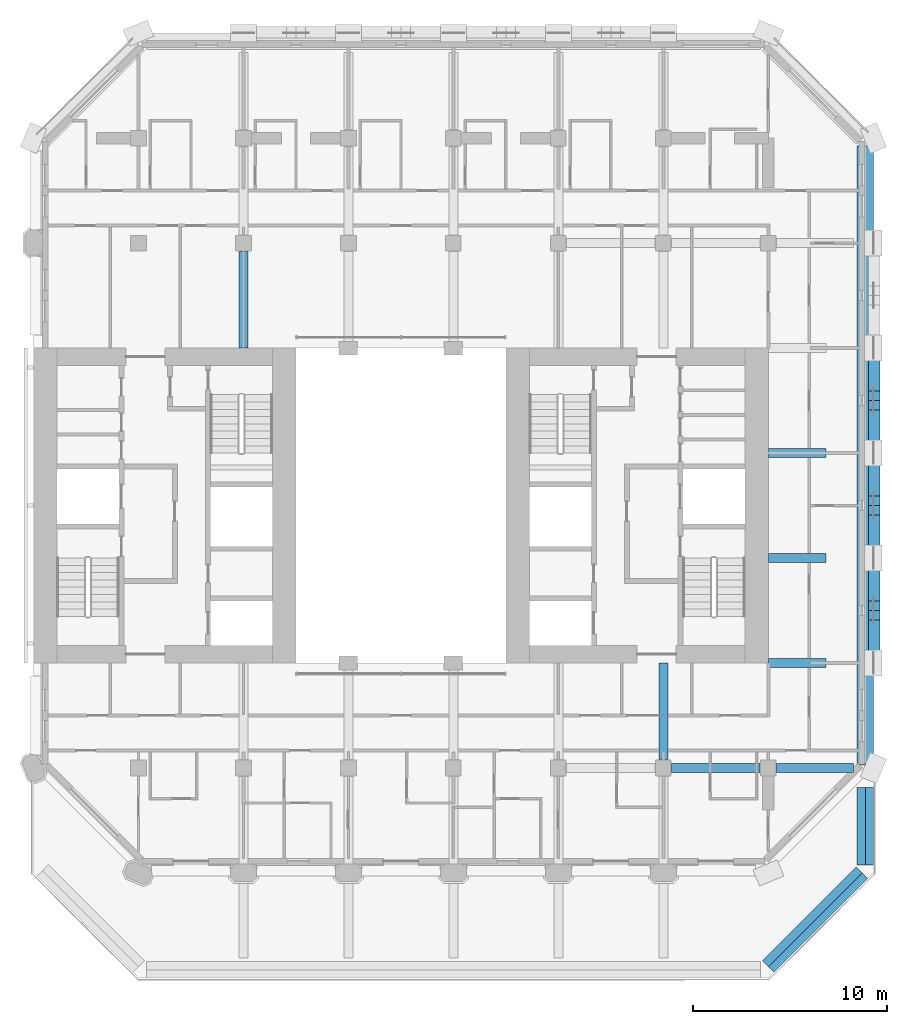
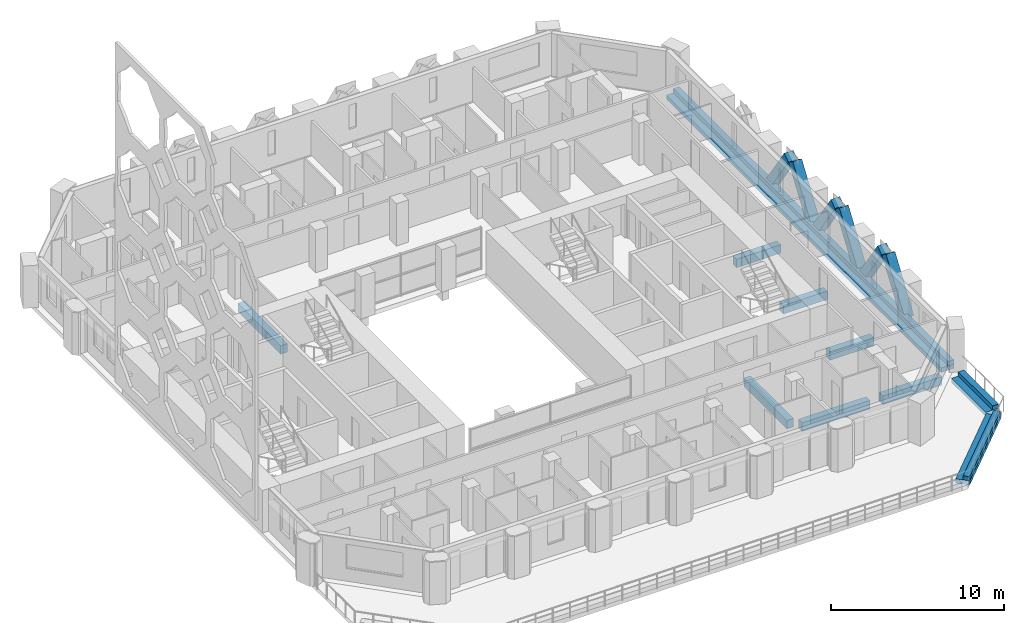
# One storey, part 5 of 17: 13 beams, 6 members.
"""IFC4 building model written with IfcOpenShell, lengths in metres."""

import ifcopenshell
import ifcopenshell.guid

model = None  # the IFC model being written
_history = None  # IfcOwnerHistory: only IFC2X3 demands one
_inside = {}  # id of a spatial element -> (the spatial element, [elements in it])
_under = {}  # id of a project, library or spatial element -> (it, [spatial elements below it])
_declared = {}  # id of a project -> (the project, [libraries it declares])
_typed = {}  # id of a type object -> (the type object, [elements of that type])
_made_of = {}  # id of a material, layer set ... -> (it, [elements and type objects made of it])


def new_model(schema):
    """Start an empty IFC model of exactly this schema.

    Asked for "IFC4X3", IfcOpenShell would pick the latest addendum, in which some entities
    have other attributes; the version numbers below select the first issue.
    IFC2X3 requires an IfcOwnerHistory on every rooted entity: one is made here for all.
    """
    global model, _history
    if schema == "IFC4X3":
        model = ifcopenshell.file(schema_version=(4, 3, 0, 0))
    else:
        model = ifcopenshell.file(schema=schema)
    _inside.clear()
    _under.clear()
    _declared.clear()
    _typed.clear()
    _made_of.clear()
    _history = None
    if model.schema == "IFC2X3":
        org = make("IfcOrganization", Name="unknown")
        user = make(
            "IfcPersonAndOrganization",
            ThePerson=make("IfcPerson", FamilyName="unknown"),
            TheOrganization=org,
        )
        app = make(
            "IfcApplication",
            ApplicationDeveloper=org,
            Version="unknown",
            ApplicationFullName="unknown",
            ApplicationIdentifier="unknown",
        )
        _history = make(
            "IfcOwnerHistory",
            OwningUser=user,
            OwningApplication=app,
            ChangeAction="ADDED",
            CreationDate=0,
        )
    return model


def make(cls, **values):
    """One entity of the class cls with the attributes given. An attribute that is None is left unset."""
    return model.create_entity(
        cls, **{name: value for name, value in values.items() if value is not None}
    )


def rooted(cls, **values):
    """An entity with a GlobalId (a new one), such as an element, a storey or a relation."""
    return make(cls, GlobalId=ifcopenshell.guid.new(), OwnerHistory=_history, **values)


def si_unit(unit_type, name, prefix=None):
    """IfcSIUnit, for example si_unit("LENGTHUNIT", "METRE", prefix="MILLI")."""
    return make("IfcSIUnit", UnitType=unit_type, Prefix=prefix, Name=name)


def assignment(units):
    """IfcUnitAssignment: the units of a project."""
    return None if units is None else make("IfcUnitAssignment", Units=units)


def point(xyz):
    """IfcCartesianPoint."""
    return None if xyz is None else make("IfcCartesianPoint", Coordinates=xyz)


def direction(xyz):
    """IfcDirection."""
    return None if xyz is None else make("IfcDirection", DirectionRatios=xyz)


def frame(location, z_axis=None, x_axis=None):
    """IfcAxis2Placement3D, a coordinate frame: its origin and axes. An axis left out is left unset."""
    return make(
        "IfcAxis2Placement3D",
        Location=point(location),
        Axis=direction(z_axis),
        RefDirection=direction(x_axis),
    )


def frame_2d(location, x_axis=None):
    """IfcAxis2Placement2D, a coordinate frame in the plane: its origin and x axis."""
    return make(
        "IfcAxis2Placement2D", Location=point(location), RefDirection=direction(x_axis)
    )


def origin():
    """The frame at (0, 0, 0) with its axes left unset."""
    return frame((0.0, 0.0, 0.0))


def origin_2d():
    """The frame at (0, 0) in the plane with its x axis left unset."""
    return frame_2d((0.0, 0.0))


def place(relative_to, where):
    """IfcLocalPlacement: puts the frame where relative to a parent placement (None: the world)."""
    return make(
        "IfcLocalPlacement", PlacementRelTo=relative_to, RelativePlacement=where
    )


def context(
    kind, dimensions, precision=None, world=None, true_north=None, identifier=None
):
    """IfcGeometricRepresentationContext, for example the 3D "Model" context."""
    return make(
        "IfcGeometricRepresentationContext",
        ContextIdentifier=identifier,
        ContextType=kind,
        CoordinateSpaceDimension=dimensions,
        Precision=precision,
        WorldCoordinateSystem=world,
        TrueNorth=true_north,
    )


def subcontext(parent, identifier, kind, view, scale=None):
    """IfcGeometricRepresentationSubContext, for example "Body" below "Model"."""
    return make(
        "IfcGeometricRepresentationSubContext",
        ContextIdentifier=identifier,
        ContextType=kind,
        ParentContext=parent,
        TargetScale=scale,
        TargetView=view,
    )


def project(units=None, contexts=None):
    """IfcProject with its units and contexts."""
    return rooted(
        "IfcProject",
        Name="project",
        RepresentationContexts=contexts,
        UnitsInContext=assignment(units),
    )


def spatial(cls, under=None, at=None, **own):
    """A site, building, storey or space (cls), placed at a placement, below another one or the project."""
    s = rooted(cls, ObjectPlacement=at, **own)
    if under is not None:
        _under.setdefault(under.id(), (under, []))[1].append(s)
    return s


def profile(cls, at=None, kind="AREA", **sizes):
    """A parametric profile (cls). Its sizes go by their IFC names, for example OverallWidth=200.0."""
    return make(cls, ProfileType=kind, Position=at, **sizes)


def rectangle(**sizes):
    """IfcRectangleProfileDef."""
    return profile("IfcRectangleProfileDef", **sizes)


def extrude(swept, where, along, depth):
    """IfcExtrudedAreaSolid: the profile swept, set in the frame where, extruded along a direction by depth."""
    return make(
        "IfcExtrudedAreaSolid",
        SweptArea=swept,
        Position=where,
        ExtrudedDirection=direction(along),
        Depth=depth,
    )


def shape(context_of_items, identifier, shape_type, items):
    """IfcShapeRepresentation: the items that make up one representation, for example the "Body"."""
    return make(
        "IfcShapeRepresentation",
        ContextOfItems=context_of_items,
        RepresentationIdentifier=identifier,
        RepresentationType=shape_type,
        Items=items,
    )


def material(Name=None, Category=None):
    """IfcMaterial."""
    return make("IfcMaterial", Name=Name, Category=Category)


def material_profile(
    of_material, cross_section, Name=None, Category=None, Priority=None
):
    """IfcMaterialProfile: a cross section and its material."""
    return make(
        "IfcMaterialProfile",
        Name=Name,
        Material=of_material,
        Profile=cross_section,
        Priority=Priority,
        Category=Category,
    )


def profile_set(profiles, Name=None, composite=None):
    """IfcMaterialProfileSet."""
    return make(
        "IfcMaterialProfileSet",
        Name=Name,
        MaterialProfiles=profiles,
        CompositeProfile=composite,
    )


def made_of(thing, what):
    """Note that an element or type object is made of a material, layer set ...; save() writes the relation."""
    if what is not None:
        _made_of.setdefault(what.id(), (what, []))[1].append(thing)
    return thing


def type_object(cls, material=None, **own):
    """A type object (cls), such as IfcWallType, which elements share."""
    return made_of(rooted(cls, **own), material)


def element(
    cls,
    number,
    at=None,
    inside=None,
    cuts=None,
    type_object=None,
    material=None,
    context=None,
    identifier="Body",
    shape_type=None,
    held_by="IfcProductDefinitionShape",
    body=None,
    shapes=None,
    **own,
):
    """One element of the class cls, such as IfcWall. Its Tag is "e" and its number.

    at: its placement. inside: the storey or other place that contains it. cuts: it is an
    opening in that element (IfcRelVoidsElement). A single representation is given by context,
    identifier, shape_type and body (its items); several are given by shapes. held_by: the class
    of the entity that holds the representations. save() writes the other relations.
    """
    e = rooted(cls, Tag="e%d" % number, ObjectPlacement=at, **own)
    if body is not None:
        shapes = [shape(context, identifier, shape_type, body)]
    if shapes is not None:
        e.Representation = make(held_by, Representations=shapes)
    if inside is not None:
        _inside.setdefault(inside.id(), (inside, []))[1].append(e)
    if cuts is not None:
        rooted(
            "IfcRelVoidsElement", RelatingBuildingElement=cuts, RelatedOpeningElement=e
        )
    if type_object is not None:
        _typed.setdefault(type_object.id(), (type_object, []))[1].append(e)
    return made_of(e, material)


def aggregate(whole, parts):
    """IfcRelAggregates: a whole, such as a stair, and the parts it consists of."""
    return rooted("IfcRelAggregates", RelatingObject=whole, RelatedObjects=parts)


def save(model, path):
    """Write the relations noted so far, then the file.

    IfcRelAggregates (storeys below a building ...), IfcRelContainedInSpatialStructure (elements
    in a storey), IfcRelDefinesByType, IfcRelAssociatesMaterial and IfcRelDeclares: one each for
    every whole, place, type object, material and project.
    """
    for whole, parts in _under.values():
        aggregate(whole, parts)
    for where, things in _inside.values():
        rooted(
            "IfcRelContainedInSpatialStructure",
            RelatedElements=things,
            RelatingStructure=where,
        )
    for kind, things in _typed.values():
        rooted("IfcRelDefinesByType", RelatedObjects=things, RelatingType=kind)
    for what, things in _made_of.values():
        rooted("IfcRelAssociatesMaterial", RelatedObjects=things, RelatingMaterial=what)
    for by, libraries in _declared.values():
        rooted("IfcRelDeclares", RelatingContext=by, RelatedDefinitions=libraries)
    model.write(path)


model = new_model("IFC4")

# Units and contexts
model_context = context("Model", 3, precision=1e-05, world=origin(), true_north=direction((0.0, 1.0)))
body_context = subcontext(model_context, "Body", "Model", "MODEL_VIEW")
ifc_project = project(units=[si_unit("LENGTHUNIT", "METRE"), si_unit("AREAUNIT", "SQUARE_METRE"), si_unit("VOLUMEUNIT", "CUBIC_METRE"), si_unit("PLANEANGLEUNIT", "RADIAN"), si_unit("MASSUNIT", "GRAM", prefix="KILO")], contexts=[model_context])

# Site, building, storey
site_placement = place(None, origin())
site = spatial("IfcSite", under=ifc_project, at=site_placement, CompositionType="ELEMENT")
building_placement = place(site_placement, origin())
building = spatial("IfcBuilding", under=site, at=building_placement, Name="Tabaq Tower and Sports Hall", CompositionType="ELEMENT")
storey_placement = place(building_placement, frame((0.0, 0.0, 180.699951171875)))
storey = spatial("IfcBuildingStorey", under=building, at=storey_placement, Name="L43", CompositionType="ELEMENT", Elevation=180.699951171875)

# Beams
ifc_material_1 = material(Name="Concrete C40/50", Category="concrete")
ifc_material_profile_1 = material_profile(ifc_material_1, rectangle(XDim=0.449951171875, YDim=0.60009765625, at=origin_2d()), Name="CB 450x600")
ifc_profile_set_1 = profile_set([ifc_material_profile_1], Name="Concrete C40/50")
beam_type_1 = type_object("IfcBeamType", Name="PT CANTILEVER BEAM CB 450x600 C40/50", PredefinedType="BEAM", material=ifc_profile_set_1)
beam_1_placement = place(storey_placement, frame((47.574951171875, 10.800048828125, -0.599853515625), z_axis=(-1.0, 0.0, 0.0), x_axis=(0.0, -1.0, 0.0)))
element("IfcBeam", 1, at=beam_1_placement, inside=storey, type_object=beam_type_1, Name="Cantilever Beam L43 E2 span 1", PredefinedType="BEAM", context=body_context, shape_type="SweptSolid", body=[
    extrude(rectangle(XDim=0.449951171875, YDim=0.60009765625, at=origin_2d()), origin(), (0.0, 0.0, 1.0), 3.949951171875),
])
beam_2_placement = place(storey_placement, frame((42.77490234375, 10.800048828125, -0.599853515625), z_axis=(-1.0, 0.0, 0.0), x_axis=(0.0, -1.0, 0.0)))
element("IfcBeam", 2, at=beam_2_placement, inside=storey, type_object=beam_type_1, Name="Cantilever Beam L43 E2 span 2", PredefinedType="BEAM", context=body_context, shape_type="SweptSolid", body=[
    extrude(rectangle(XDim=0.449951171875, YDim=0.60009765625, at=origin_2d()), origin(), (0.0, 0.0, 1.0), 4.5498046875),
])
for number, where, z_axis, x_axis, name in (
    (3, (46.14990234375, 16.199951171875, -0.599853515625), (-1.0, 0.0, 0.0), (0.0, -1.0, 0.0), "Cantilever Beam L43 E3 span 1"),
    (4, (46.14990234375, 21.60009765625, -0.599853515625), (-1.0, 0.0, 0.0), (0.0, -1.0, 0.0), "Cantilever Beam L43 E4 span 1"),
    (5, (46.14990234375, 27.0, -0.599853515625), (-1.0, 0.0, 0.0), (0.0, -1.0, 0.0), "Cantilever Beam L43 E5 span 1"),
):
    element("IfcBeam", number, at=place(storey_placement, frame(where, z_axis=z_axis, x_axis=x_axis)), inside=storey, type_object=beam_type_1, Name=name, PredefinedType="BEAM", context=body_context, shape_type="SweptSolid", body=[
        extrude(rectangle(XDim=0.449951171875, YDim=0.60009765625, at=origin_2d()), origin(), (0.0, 0.0, 1.0), 2.949951171875),
    ])
beam_3_placement = place(storey_placement, frame((37.800048828125, 11.22509765625, -0.599853515625), z_axis=(0.0, 1.0, 0.0), x_axis=(-1.0, 0.0, 0.0)))
element("IfcBeam", 6, at=beam_3_placement, inside=storey, type_object=beam_type_1, Name="Cantilever Beam L43 S7 span 3", PredefinedType="BEAM", context=body_context, shape_type="SweptSolid", body=[
    extrude(rectangle(XDim=0.449951171875, YDim=0.60009765625, at=origin_2d()), origin(), (0.0, 0.0, 1.0), 4.974853515625),
])
beam_4_placement = place(storey_placement, frame((16.199951171875, 37.375, -0.599853515625), z_axis=(0.0, -1.0, 0.0), x_axis=(1.0, 0.0, 0.0)))
element("IfcBeam", 7, at=beam_4_placement, inside=storey, type_object=beam_type_1, Name="Cantilever Beam L43 N3 span 3", PredefinedType="BEAM", context=body_context, shape_type="SweptSolid", body=[
    extrude(rectangle(XDim=0.449951171875, YDim=0.60009765625, at=origin_2d()), origin(), (0.0, 0.0, 1.0), 4.97509765625),
])
ifc_material_2 = material(Name="Concrete C40/50", Category="concrete")
ifc_material_profile_2 = material_profile(ifc_material_2, rectangle(XDim=0.85009765625, YDim=0.300048828125, at=origin_2d()), Name="EB 850x300")
ifc_profile_set_2 = profile_set([ifc_material_profile_2], Name="Concrete C40/50")
beam_type_2 = type_object("IfcBeamType", Name="PT EDGE BEAM EB 850x300 C40/50", PredefinedType="SPANDREL", material=ifc_profile_set_2)
beam_5_placement = place(storey_placement, frame((48.175048828125, 10.9619140625, -0.14990234375), z_axis=(0.0, 1.0, 0.0), x_axis=(-1.0, 0.0, 0.0)))
element("IfcBeam", 8, at=beam_5_placement, inside=storey, type_object=beam_type_2, Name="Edge Beam L43 1", PredefinedType="SPANDREL", context=body_context, shape_type="SweptSolid", body=[
    extrude(rectangle(XDim=0.85009765625, YDim=0.300048828125, at=origin_2d()), origin(), (0.0, 0.0, 1.0), 31.8359375),
])
beam_6_placement = place(storey_placement, frame((43.183837890625, 0.584716796875, -0.14990234375), z_axis=(0.707088915255, 0.707124646667, 0.0), x_axis=(-0.707124646667, 0.707088915255, 0.0)))
element("IfcBeam", 9, at=beam_6_placement, inside=storey, type_object=beam_type_2, Name="Edge Beam L43 5", PredefinedType="SPANDREL", context=body_context, shape_type="SweptSolid", body=[
    extrude(rectangle(XDim=0.85009765625, YDim=0.300048828125, at=origin_2d()), origin(), (0.0, 0.0, 1.0), 6.832763671875),
])
beam_7_placement = place(storey_placement, frame((48.175048828125, 5.802001953125, -0.14990234375), z_axis=(0.0, 1.0, 0.0), x_axis=(-1.0, 0.0, 0.0)))
element("IfcBeam", 10, at=beam_7_placement, inside=storey, type_object=beam_type_2, Name="Edge Beam L43 6", PredefinedType="SPANDREL", context=body_context, shape_type="SweptSolid", body=[
    extrude(rectangle(XDim=0.85009765625, YDim=0.300048828125, at=origin_2d()), origin(), (0.0, 0.0, 1.0), 3.986083984375),
])
ifc_material_3 = material(Name="Concrete C40/50", Category="concrete")
ifc_material_profile_3 = material_profile(ifc_material_3, rectangle(XDim=0.39990234375, YDim=0.300048828125, at=origin_2d()), Name="EU 400x300")
ifc_profile_set_3 = profile_set([ifc_material_profile_3], Name="Concrete C40/50")
beam_type_3 = type_object("IfcBeamType", Name="PT EDGE UPSTAND EU 400x300 C40/50", PredefinedType="BEAM", material=ifc_profile_set_3)
beam_8_placement = place(storey_placement, frame((48.39990234375, 10.9619140625, 0.150146484375), z_axis=(0.0, 1.0, 0.0), x_axis=(-1.0, 0.0, 0.0)))
element("IfcBeam", 11, at=beam_8_placement, inside=storey, type_object=beam_type_3, Name="Edge Upstand L43 1", PredefinedType="BEAM", context=body_context, shape_type="SweptSolid", body=[
    extrude(rectangle(XDim=0.39990234375, YDim=0.300048828125, at=origin_2d()), origin(), (0.0, 0.0, 1.0), 31.8359375),
])
beam_9_placement = place(storey_placement, frame((43.3427734375, 0.42578125, 0.150146484375), z_axis=(0.707124646667, 0.707088915255, 0.0), x_axis=(-0.707088915255, 0.707124646667, 0.0)))
element("IfcBeam", 12, at=beam_9_placement, inside=storey, type_object=beam_type_3, Name="Edge Upstand L43 5", PredefinedType="BEAM", context=body_context, shape_type="SweptSolid", body=[
    extrude(rectangle(XDim=0.39990234375, YDim=0.300048828125, at=origin_2d()), origin(), (0.0, 0.0, 1.0), 6.832763671875),
])
beam_10_placement = place(storey_placement, frame((48.39990234375, 5.802001953125, 0.150146484375), z_axis=(0.0, 1.0, 0.0), x_axis=(-1.0, 0.0, 0.0)))
element("IfcBeam", 13, at=beam_10_placement, inside=storey, type_object=beam_type_3, Name="Edge Upstand L43 6", PredefinedType="BEAM", context=body_context, shape_type="SweptSolid", body=[
    extrude(rectangle(XDim=0.39990234375, YDim=0.300048828125, at=origin_2d()), origin(), (0.0, 0.0, 1.0), 3.986083984375),
])

# Members
ifc_material_4 = material(Name="Concrete C50/60", Category="concrete")
ifc_material_profile_4 = material_profile(ifc_material_4, rectangle(XDim=0.60009765625, YDim=0.60009765625, at=origin_2d()), Name="TRANSFER BAND BRACE 600x600")
ifc_profile_set_4 = profile_set([ifc_material_profile_4], Name="Concrete C50/60")
member_type = type_object("IfcMemberType", Name="RC TRANSFER BAND BRACE 600x600 C50/60", PredefinedType="BRACE", material=ifc_profile_set_4)
for number, where, z_axis, x_axis, name in (
    (14, (48.64990234375, 16.449951171875, -0.050048828125), (0.0, 0.566496805185, 0.824063935453), (-1.0, 0.0, 0.0), "Transfer Band Brace L43 East 1"),
    (15, (48.64990234375, 21.35009765625, -0.050048828125), (0.0, -0.566539494884, 0.8240345871), (1.0, 0.0, 0.0), "Transfer Band Brace L43 East 2"),
    (16, (48.64990234375, 21.85009765625, -0.050048828125), (0.0, 0.566496805185, 0.824063935453), (-1.0, 0.0, 0.0), "Transfer Band Brace L43 East 3"),
    (17, (48.64990234375, 26.75, -0.050048828125), (0.0, -0.566496805185, 0.824063935453), (1.0, 0.0, 0.0), "Transfer Band Brace L43 East 4"),
    (18, (48.64990234375, 27.25, -0.050048828125), (0.0, 0.566496805185, 0.824063935453), (-1.0, 0.0, 0.0), "Transfer Band Brace L43 East 5"),
    (19, (48.64990234375, 32.14990234375, -0.050048828125), (0.0, -0.566496805185, 0.824063935453), (1.0, 0.0, 0.0), "Transfer Band Brace L43 East 6"),
):
    element("IfcMember", number, at=place(storey_placement, frame(where, z_axis=z_axis, x_axis=x_axis)), inside=storey, type_object=member_type, Name=name, PredefinedType="BRACE", context=body_context, shape_type="SweptSolid", body=[
        extrude(rectangle(XDim=0.60009765625, YDim=0.60009765625, at=origin_2d()), origin(), (0.0, 0.0, 1.0), 3.883544921875),
    ])

save(model, "model.ifc")
